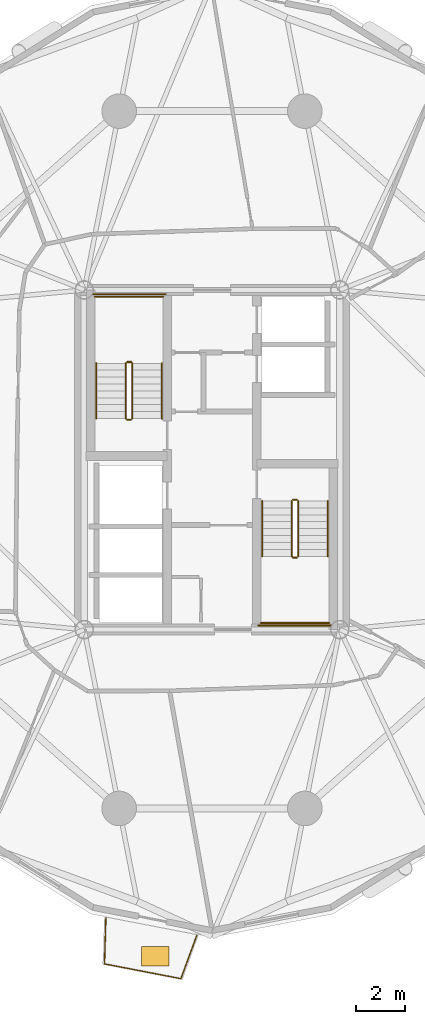
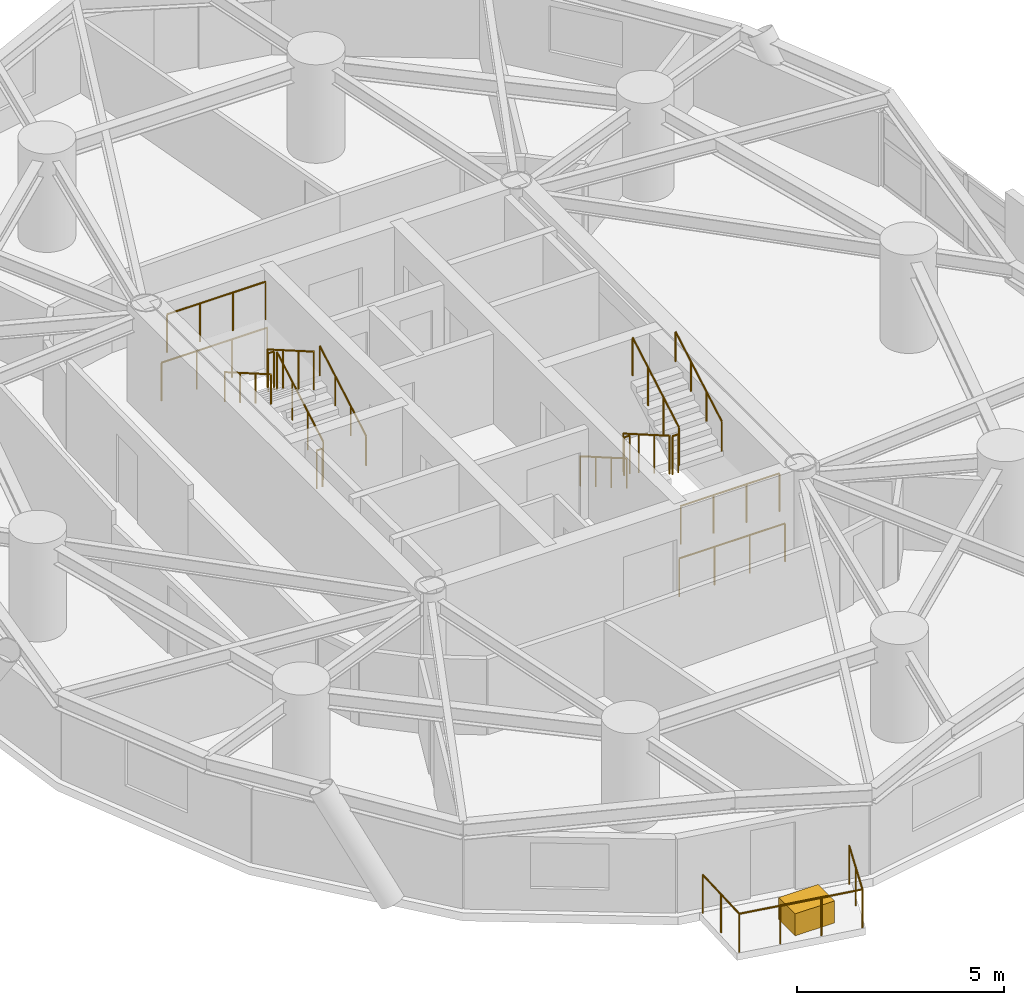
# One storey, part 15 of 17: 17 railings, 1 covering.
"""IFC4 building model written with IfcOpenShell, lengths in metres."""

from ifc_helpers import new_model, si_unit, direction, frame, origin, origin_2d, place, context, subcontext, project, spatial, rectangle, circle, extrude, source, transform, mapped, material, layer, layer_set, type_object, element, save


model = new_model("IFC4")

# Units and contexts
model_context = context("Model", 3, precision=1e-05, world=origin(), true_north=direction((0.0, 1.0)))
body_context = subcontext(model_context, "Body", "Model", "MODEL_VIEW")
ifc_project = project(units=[si_unit("LENGTHUNIT", "METRE"), si_unit("AREAUNIT", "SQUARE_METRE"), si_unit("VOLUMEUNIT", "CUBIC_METRE"), si_unit("PLANEANGLEUNIT", "RADIAN"), si_unit("MASSUNIT", "GRAM", prefix="KILO")], contexts=[model_context])

# Site, building, storey
site_placement = place(None, origin())
site = spatial("IfcSite", under=ifc_project, at=site_placement, CompositionType="ELEMENT")
building_placement = place(site_placement, origin())
building = spatial("IfcBuilding", under=site, at=building_placement, Name="Cununo Teusaquillo Station Towers", CompositionType="ELEMENT")
storey_placement = place(building_placement, frame((0.0, 0.0, 113.800048828125)))
storey = spatial("IfcBuildingStorey", under=building, at=storey_placement, Name="L36", CompositionType="ELEMENT", Elevation=113.800048828125)

# Railings
ifc_material_1 = material(Name="Anodised dark bronze aluminium EN AW-6063-T6", Category="aluminium")
railing_type_1 = type_object("IfcRailingType", Name="RL-EXT-GUARD", PredefinedType="GUARDRAIL", material=ifc_material_1)
railing_1_placement = place(storey_placement, frame((15.8818359375, 5.228271484375, 0.0)))
element("IfcRailing", 1, at=railing_1_placement, inside=storey, type_object=railing_type_1, Name="L36 Tower A Balcony Guardrail C14", PredefinedType="GUARDRAIL", context=body_context, shape_type="SweptSolid", body=[
    extrude(circle(Radius=0.02392578125, at=origin_2d()), frame((0.0, 0.0, 1.1259765625), z_axis=(-0.343962021681, -0.9389835609, 0.0), x_axis=(0.9389835609, -0.343962021681, 0.0)), (0.0, 0.0, 1.0), 1.86328125),
    extrude(circle(Radius=0.02392578125, at=origin_2d()), frame((-0.640869140625, -1.74951171875, 1.1259765625), z_axis=(-0.981834317938, 0.189740275429, 0.0), x_axis=(-0.189740275429, -0.981834317938, 0.0)), (0.0, 0.0, 1.0), 3.15380859375),
    extrude(circle(Radius=0.02392578125, at=origin_2d()), frame((-3.7373046875, -1.151123046875, 1.1259765625), z_axis=(0.030662031384, 0.999529809376, 0.0), x_axis=(-0.999529809376, 0.030662031384, 0.0)), (0.0, 0.0, 1.0), 1.86328125),
    extrude(circle(Radius=0.02099609375, at=origin_2d()), origin(), (0.0, 0.0, 1.0), 1.101806640625),
    extrude(circle(Radius=0.02099609375, at=origin_2d()), frame((-0.3203125, -0.874755859375, 0.0)), (0.0, 0.0, 1.0), 1.101806640625),
    extrude(circle(Radius=0.02099609375, at=origin_2d()), frame((-0.640869140625, -1.74951171875, 0.0)), (0.0, 0.0, 1.0), 1.101806640625),
    extrude(circle(Radius=0.02099609375, at=origin_2d()), frame((-1.673095703125, -1.550048828125, 0.0)), (0.0, 0.0, 1.0), 1.101806640625),
    extrude(circle(Radius=0.02099609375, at=origin_2d()), frame((-2.705078125, -1.3505859375, 0.0)), (0.0, 0.0, 1.0), 1.101806640625),
    extrude(circle(Radius=0.02099609375, at=origin_2d()), frame((-3.7373046875, -1.151123046875, 0.0)), (0.0, 0.0, 1.0), 1.101806640625),
    extrude(circle(Radius=0.02099609375, at=origin_2d()), frame((-3.708740234375, -0.219970703125, 0.0)), (0.0, 0.0, 1.0), 1.101806640625),
    extrude(circle(Radius=0.02099609375, at=origin_2d()), frame((-3.68017578125, 0.711181640625, 0.0)), (0.0, 0.0, 1.0), 1.101806640625),
])
ifc_material_2 = material(Name="Steel EN 10025-2 S355J2", Category="steel")
railing_type_2 = type_object("IfcRailingType", Name="RL-INT-GUARD", PredefinedType="GUARDRAIL", material=ifc_material_2)
railing_2_placement = place(storey_placement, frame((13.27001953125, 26.169921875, 0.16162109375)))
element("IfcRailing", 2, at=railing_2_placement, inside=storey, type_object=railing_type_2, Name="L36 ST-T1-1 stair guard 1", PredefinedType="GUARDRAIL", context=body_context, shape_type="SweptSolid", body=[
    extrude(circle(Radius=0.02392578125, at=origin_2d()), frame((0.0, 0.0, 1.1259765625), z_axis=(0.0, 0.866033117094, 0.499986639918), x_axis=(-1.0, 0.0, 0.0)), (0.0, 0.0, 1.0), 2.58642578125),
    extrude(circle(Radius=0.02099609375, at=origin_2d()), origin(), (0.0, 0.0, 1.0), 1.101806640625),
    extrude(circle(Radius=0.02099609375, at=origin_2d()), frame((0.0, 0.74658203125, 0.43115234375)), (0.0, 0.0, 1.0), 1.101806640625),
    extrude(circle(Radius=0.02099609375, at=origin_2d()), frame((0.0, 1.493408203125, 0.862060546875)), (0.0, 0.0, 1.0), 1.101806640625),
    extrude(circle(Radius=0.02099609375, at=origin_2d()), frame((0.0, 2.239990234375, 1.293212890625)), (0.0, 0.0, 1.0), 1.101806640625),
])
railing_3_placement = place(storey_placement, frame((13.219970703125, 28.4599609375, 1.454833984375)))
element("IfcRailing", 3, at=railing_3_placement, inside=storey, type_object=railing_type_2, Name="L36 ST-T1-1 stair guard 2", PredefinedType="GUARDRAIL", context=body_context, shape_type="SweptSolid", body=[
    extrude(circle(Radius=0.02392578125, at=origin_2d()), frame((0.0, 0.0, 1.1259765625), z_axis=(-1.0, 0.0, 0.0), x_axis=(0.0, -1.0, 0.0)), (0.0, 0.0, 1.0), 0.159912109375),
    extrude(circle(Radius=0.02099609375, at=origin_2d()), origin(), (0.0, 0.0, 1.0), 1.101806640625),
    extrude(circle(Radius=0.02099609375, at=origin_2d()), frame((-0.159912109375, 0.0, 0.0)), (0.0, 0.0, 1.0), 1.101806640625),
])
railing_4_placement = place(storey_placement, frame((14.52001953125, 31.110107421875, 1.454833984375)))
element("IfcRailing", 4, at=railing_4_placement, inside=storey, type_object=railing_type_2, Name="L36 ST-T1-1 stair guard 3", PredefinedType="GUARDRAIL", context=body_context, shape_type="SweptSolid", body=[
    extrude(circle(Radius=0.02392578125, at=origin_2d()), frame((0.0, 0.0, 1.1259765625), z_axis=(-1.0, 0.0, 0.0), x_axis=(0.0, -1.0, 0.0)), (0.0, 0.0, 1.0), 2.760009765625),
    extrude(circle(Radius=0.02099609375, at=origin_2d()), origin(), (0.0, 0.0, 1.0), 1.101806640625),
    extrude(circle(Radius=0.02099609375, at=origin_2d()), frame((-0.919921875, 0.0, 0.0)), (0.0, 0.0, 1.0), 1.101806640625),
    extrude(circle(Radius=0.02099609375, at=origin_2d()), frame((-1.840087890625, 0.0, 0.0)), (0.0, 0.0, 1.0), 1.101806640625),
    extrude(circle(Radius=0.02099609375, at=origin_2d()), frame((-2.760009765625, 0.0, 0.0)), (0.0, 0.0, 1.0), 1.101806640625),
])
railing_5_placement = place(storey_placement, frame((13.010009765625, 28.409912109375, 1.61669921875)))
element("IfcRailing", 5, at=railing_5_placement, inside=storey, type_object=railing_type_2, Name="L36 ST-T1-1 stair guard 4", PredefinedType="GUARDRAIL", context=body_context, shape_type="SweptSolid", body=[
    extrude(circle(Radius=0.02392578125, at=origin_2d()), frame((0.0, 0.0, 1.1259765625), z_axis=(0.0, -0.866033117094, 0.499986639918), x_axis=(1.0, 0.0, 0.0)), (0.0, 0.0, 1.0), 2.58642578125),
    extrude(circle(Radius=0.02099609375, at=origin_2d()), origin(), (0.0, 0.0, 1.0), 1.101806640625),
    extrude(circle(Radius=0.02099609375, at=origin_2d()), frame((0.0, -0.74658203125, 0.43115234375)), (0.0, 0.0, 1.0), 1.101806640625),
    extrude(circle(Radius=0.02099609375, at=origin_2d()), frame((0.0, -1.493408203125, 0.862060546875)), (0.0, 0.0, 1.0), 1.101806640625),
    extrude(circle(Radius=0.02099609375, at=origin_2d()), frame((0.0, -2.239990234375, 1.293212890625)), (0.0, 0.0, 1.0), 1.101806640625),
])
railing_6_placement = place(storey_placement, frame((13.219970703125, 26.1201171875, 0.0)))
element("IfcRailing", 6, at=railing_6_placement, inside=storey, type_object=railing_type_2, Name="L36 ST-T1-1 stair guard 5", PredefinedType="GUARDRAIL", context=body_context, shape_type="SweptSolid", body=[
    extrude(circle(Radius=0.02392578125, at=origin_2d()), frame((0.0, 0.0, 1.1259765625), z_axis=(-1.0, 0.0, 0.0), x_axis=(0.0, -1.0, 0.0)), (0.0, 0.0, 1.0), 0.159912109375),
    extrude(circle(Radius=0.02099609375, at=origin_2d()), origin(), (0.0, 0.0, 1.0), 1.101806640625),
    extrude(circle(Radius=0.02099609375, at=origin_2d()), frame((-0.159912109375, 0.0, 0.0)), (0.0, 0.0, 1.0), 1.101806640625),
])
railing_7_placement = place(storey_placement, frame((14.6201171875, 31.2099609375, 0.0)))
element("IfcRailing", 7, at=railing_7_placement, inside=storey, type_object=railing_type_2, Name="L36 ST-T1-1 stair guard 6", PredefinedType="GUARDRAIL", context=body_context, shape_type="SweptSolid", body=[
    extrude(circle(Radius=0.02392578125, at=origin_2d()), frame((0.0, 0.0, 1.1259765625), z_axis=(-1.0, 0.0, 0.0), x_axis=(0.0, -1.0, 0.0)), (0.0, 0.0, 1.0), 2.960205078125),
    extrude(circle(Radius=0.02099609375, at=origin_2d()), origin(), (0.0, 0.0, 1.0), 1.101806640625),
    extrude(circle(Radius=0.02099609375, at=origin_2d()), frame((-0.98681640625, 0.0, 0.0)), (0.0, 0.0, 1.0), 1.101806640625),
    extrude(circle(Radius=0.02099609375, at=origin_2d()), frame((-1.973388671875, 0.0, 0.0)), (0.0, 0.0, 1.0), 1.101806640625),
    extrude(circle(Radius=0.02099609375, at=origin_2d()), frame((-2.960205078125, 0.0, 0.0)), (0.0, 0.0, 1.0), 1.101806640625),
])
railing_8_placement = place(storey_placement, frame((19.72998046875, 22.830078125, 0.16162109375)))
element("IfcRailing", 8, at=railing_8_placement, inside=storey, type_object=railing_type_2, Name="L36 ST-T1-2 stair guard 1", PredefinedType="GUARDRAIL", context=body_context, shape_type="SweptSolid", body=[
    extrude(circle(Radius=0.02392578125, at=origin_2d()), frame((0.0, 0.0, 1.1259765625), z_axis=(0.0, -0.866033117094, 0.499986639918), x_axis=(1.0, 0.0, 0.0)), (0.0, 0.0, 1.0), 2.58642578125),
    extrude(circle(Radius=0.02099609375, at=origin_2d()), origin(), (0.0, 0.0, 1.0), 1.101806640625),
    extrude(circle(Radius=0.02099609375, at=origin_2d()), frame((0.0, -0.74658203125, 0.43115234375)), (0.0, 0.0, 1.0), 1.101806640625),
    extrude(circle(Radius=0.02099609375, at=origin_2d()), frame((0.0, -1.493408203125, 0.862060546875)), (0.0, 0.0, 1.0), 1.101806640625),
    extrude(circle(Radius=0.02099609375, at=origin_2d()), frame((0.0, -2.239990234375, 1.293212890625)), (0.0, 0.0, 1.0), 1.101806640625),
])
railing_9_placement = place(storey_placement, frame((19.780029296875, 20.5400390625, 1.454833984375)))
element("IfcRailing", 9, at=railing_9_placement, inside=storey, type_object=railing_type_2, Name="L36 ST-T1-2 stair guard 2", PredefinedType="GUARDRAIL", context=body_context, shape_type="SweptSolid", body=[
    extrude(circle(Radius=0.02392578125, at=origin_2d()), frame((0.0, 0.0, 1.1259765625), z_axis=(1.0, 0.0, 0.0), x_axis=(0.0, 1.0, 0.0)), (0.0, 0.0, 1.0), 0.159912109375),
    extrude(circle(Radius=0.02099609375, at=origin_2d()), origin(), (0.0, 0.0, 1.0), 1.101806640625),
    extrude(circle(Radius=0.02099609375, at=origin_2d()), frame((0.159912109375, 0.0, 0.0)), (0.0, 0.0, 1.0), 1.101806640625),
])
railing_10_placement = place(storey_placement, frame((18.47998046875, 17.889892578125, 1.454833984375)))
element("IfcRailing", 10, at=railing_10_placement, inside=storey, type_object=railing_type_2, Name="L36 ST-T1-2 stair guard 3", PredefinedType="GUARDRAIL", context=body_context, shape_type="SweptSolid", body=[
    extrude(circle(Radius=0.02392578125, at=origin_2d()), frame((0.0, 0.0, 1.1259765625), z_axis=(1.0, 0.0, 0.0), x_axis=(0.0, 1.0, 0.0)), (0.0, 0.0, 1.0), 2.760009765625),
    extrude(circle(Radius=0.02099609375, at=origin_2d()), origin(), (0.0, 0.0, 1.0), 1.101806640625),
    extrude(circle(Radius=0.02099609375, at=origin_2d()), frame((0.919921875, 0.0, 0.0)), (0.0, 0.0, 1.0), 1.101806640625),
    extrude(circle(Radius=0.02099609375, at=origin_2d()), frame((1.840087890625, 0.0, 0.0)), (0.0, 0.0, 1.0), 1.101806640625),
    extrude(circle(Radius=0.02099609375, at=origin_2d()), frame((2.760009765625, 0.0, 0.0)), (0.0, 0.0, 1.0), 1.101806640625),
])
railing_11_placement = place(storey_placement, frame((19.989990234375, 20.590087890625, 1.61669921875)))
element("IfcRailing", 11, at=railing_11_placement, inside=storey, type_object=railing_type_2, Name="L36 ST-T1-2 stair guard 4", PredefinedType="GUARDRAIL", context=body_context, shape_type="SweptSolid", body=[
    extrude(circle(Radius=0.02392578125, at=origin_2d()), frame((0.0, 0.0, 1.1259765625), z_axis=(0.0, 0.866033117094, 0.499986639918), x_axis=(-1.0, 0.0, 0.0)), (0.0, 0.0, 1.0), 2.58642578125),
    extrude(circle(Radius=0.02099609375, at=origin_2d()), origin(), (0.0, 0.0, 1.0), 1.101806640625),
    extrude(circle(Radius=0.02099609375, at=origin_2d()), frame((0.0, 0.74658203125, 0.43115234375)), (0.0, 0.0, 1.0), 1.101806640625),
    extrude(circle(Radius=0.02099609375, at=origin_2d()), frame((0.0, 1.493408203125, 0.862060546875)), (0.0, 0.0, 1.0), 1.101806640625),
    extrude(circle(Radius=0.02099609375, at=origin_2d()), frame((0.0, 2.239990234375, 1.293212890625)), (0.0, 0.0, 1.0), 1.101806640625),
])
railing_12_placement = place(storey_placement, frame((19.780029296875, 22.8798828125, 0.0)))
element("IfcRailing", 12, at=railing_12_placement, inside=storey, type_object=railing_type_2, Name="L36 ST-T1-2 stair guard 5", PredefinedType="GUARDRAIL", context=body_context, shape_type="SweptSolid", body=[
    extrude(circle(Radius=0.02392578125, at=origin_2d()), frame((0.0, 0.0, 1.1259765625), z_axis=(1.0, 0.0, 0.0), x_axis=(0.0, 1.0, 0.0)), (0.0, 0.0, 1.0), 0.159912109375),
    extrude(circle(Radius=0.02099609375, at=origin_2d()), origin(), (0.0, 0.0, 1.0), 1.101806640625),
    extrude(circle(Radius=0.02099609375, at=origin_2d()), frame((0.159912109375, 0.0, 0.0)), (0.0, 0.0, 1.0), 1.101806640625),
])
railing_13_placement = place(storey_placement, frame((18.3798828125, 17.7900390625, 0.0)))
element("IfcRailing", 13, at=railing_13_placement, inside=storey, type_object=railing_type_2, Name="L36 ST-T1-2 stair guard 6", PredefinedType="GUARDRAIL", context=body_context, shape_type="SweptSolid", body=[
    extrude(circle(Radius=0.02392578125, at=origin_2d()), frame((0.0, 0.0, 1.1259765625), z_axis=(1.0, 0.0, 0.0), x_axis=(0.0, 1.0, 0.0)), (0.0, 0.0, 1.0), 2.960205078125),
    extrude(circle(Radius=0.02099609375, at=origin_2d()), origin(), (0.0, 0.0, 1.0), 1.101806640625),
    extrude(circle(Radius=0.02099609375, at=origin_2d()), frame((0.98681640625, 0.0, 0.0)), (0.0, 0.0, 1.0), 1.101806640625),
    extrude(circle(Radius=0.02099609375, at=origin_2d()), frame((1.973388671875, 0.0, 0.0)), (0.0, 0.0, 1.0), 1.101806640625),
    extrude(circle(Radius=0.02099609375, at=origin_2d()), frame((2.960205078125, 0.0, 0.0)), (0.0, 0.0, 1.0), 1.101806640625),
])
ifc_material_3 = material(Name="Steel EN 10025-2 S355J2", Category="steel")
railing_type_3 = type_object("IfcRailingType", Name="RL-INT-HRAIL", PredefinedType="HANDRAIL", material=ifc_material_3)
railing_14_placement = place(storey_placement, frame((14.469970703125, 26.169921875, 0.16162109375)))
element("IfcRailing", 14, at=railing_14_placement, inside=storey, type_object=railing_type_3, Name="L36 ST-T1-1 stair handrail 1", PredefinedType="HANDRAIL", context=body_context, shape_type="SweptSolid", body=[
    extrude(circle(Radius=0.02392578125, at=origin_2d()), frame((0.0, 0.0, 0.8759765625), z_axis=(0.0, 0.866033117094, 0.499986639918), x_axis=(-1.0, 0.0, 0.0)), (0.0, 0.0, 1.0), 2.58642578125),
    extrude(circle(Radius=0.02099609375, at=origin_2d()), origin(), (0.0, 0.0, 1.0), 0.851806640625),
    extrude(circle(Radius=0.02099609375, at=origin_2d()), frame((0.0, 0.74658203125, 0.43115234375)), (0.0, 0.0, 1.0), 0.851806640625),
    extrude(circle(Radius=0.02099609375, at=origin_2d()), frame((0.0, 1.493408203125, 0.862060546875)), (0.0, 0.0, 1.0), 0.851806640625),
    extrude(circle(Radius=0.02099609375, at=origin_2d()), frame((0.0, 2.239990234375, 1.293212890625)), (0.0, 0.0, 1.0), 0.851806640625),
])
for number, where, name in (
    (15, (11.81005859375, 28.409912109375, 1.61669921875), "L36 ST-T1-1 stair handrail 2"),
    (16, (18.530029296875, 22.830078125, 0.16162109375), "L36 ST-T1-2 stair handrail 1"),
):
    element("IfcRailing", number, at=place(storey_placement, frame(where)), inside=storey, type_object=railing_type_3, Name=name, PredefinedType="HANDRAIL", context=body_context, shape_type="SweptSolid", body=[
        extrude(circle(Radius=0.02392578125, at=origin_2d()), frame((0.0, 0.0, 0.8759765625), z_axis=(0.0, -0.866033117094, 0.499986639918), x_axis=(1.0, 0.0, 0.0)), (0.0, 0.0, 1.0), 2.58642578125),
        extrude(circle(Radius=0.02099609375, at=origin_2d()), origin(), (0.0, 0.0, 1.0), 0.851806640625),
        extrude(circle(Radius=0.02099609375, at=origin_2d()), frame((0.0, -0.74658203125, 0.43115234375)), (0.0, 0.0, 1.0), 0.851806640625),
        extrude(circle(Radius=0.02099609375, at=origin_2d()), frame((0.0, -1.493408203125, 0.862060546875)), (0.0, 0.0, 1.0), 0.851806640625),
        extrude(circle(Radius=0.02099609375, at=origin_2d()), frame((0.0, -2.239990234375, 1.293212890625)), (0.0, 0.0, 1.0), 0.851806640625),
    ])
railing_15_placement = place(storey_placement, frame((21.18994140625, 20.590087890625, 1.61669921875)))
element("IfcRailing", 17, at=railing_15_placement, inside=storey, type_object=railing_type_3, Name="L36 ST-T1-2 stair handrail 2", PredefinedType="HANDRAIL", context=body_context, shape_type="SweptSolid", body=[
    extrude(circle(Radius=0.02392578125, at=origin_2d()), frame((0.0, 0.0, 0.8759765625), z_axis=(0.0, 0.866033117094, 0.499986639918), x_axis=(-1.0, 0.0, 0.0)), (0.0, 0.0, 1.0), 2.58642578125),
    extrude(circle(Radius=0.02099609375, at=origin_2d()), origin(), (0.0, 0.0, 1.0), 0.851806640625),
    extrude(circle(Radius=0.02099609375, at=origin_2d()), frame((0.0, 0.74658203125, 0.43115234375)), (0.0, 0.0, 1.0), 0.851806640625),
    extrude(circle(Radius=0.02099609375, at=origin_2d()), frame((0.0, 1.493408203125, 0.862060546875)), (0.0, 0.0, 1.0), 0.851806640625),
    extrude(circle(Radius=0.02099609375, at=origin_2d()), frame((0.0, 2.239990234375, 1.293212890625)), (0.0, 0.0, 1.0), 0.851806640625),
])

# Covering
ifc_material_4 = material(Name="Architectural GRC planter shell and engineered root-zone substrate", Category="concrete")
ifc_layer = layer(ifc_material_4, 0.64990234375)
ifc_layer_set = layer_set([ifc_layer], Name="Architectural GRC planter shell and engineered root-zone substrate")
covering_type = type_object("IfcCoveringType", Name="COV-TREE-PLANTER", PredefinedType="CLADDING", material=ifc_layer_set)
shared_shape = source(origin(), body_context, "Body", "SweptSolid", [
    extrude(rectangle(XDim=1.10009765625, YDim=0.800048828125, at=origin_2d()), origin(), (0.0, 0.0, 1.0), 0.64990234375),
])
covering_placement = place(storey_placement, frame((14.2021484375, 4.385498046875, 0.0), z_axis=(0.0, 0.0, 1.0), x_axis=(1.0, 0.0, 0.0)))
element("IfcCovering", 18, at=covering_placement, inside=storey, type_object=covering_type, Name="L36 Tower A Balcony Tree PLANTER C14", PredefinedType="CLADDING", context=body_context, shape_type="MappedRepresentation", body=[
    mapped(shared_shape, transform((0.0, 0.0, 0.0), x_axis=(1.0, 0.0, 0.0), y_axis=(0.0, 1.0, 0.0), z_axis=(0.0, 0.0, 1.0), scale=1.0)),
])

save(model, "model.ifc")
